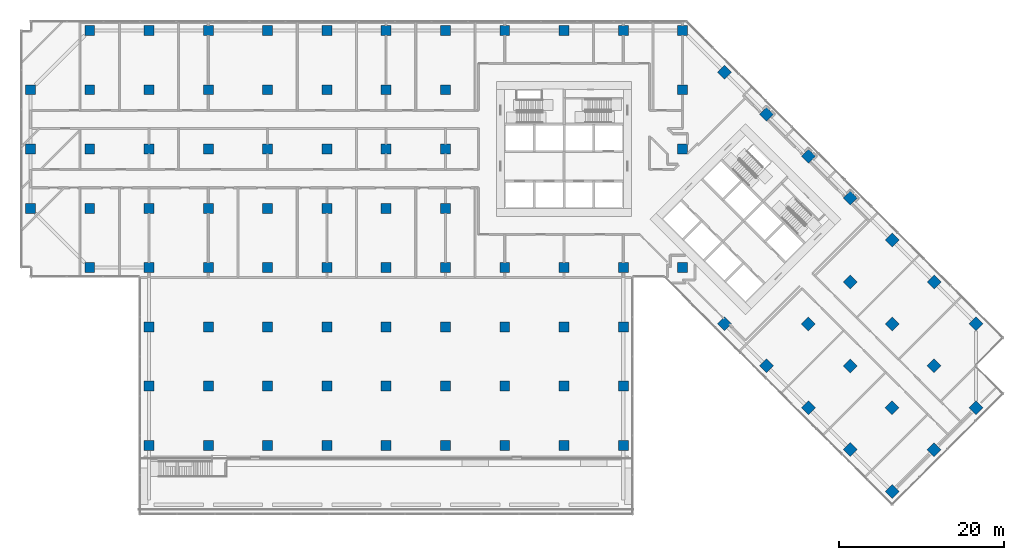
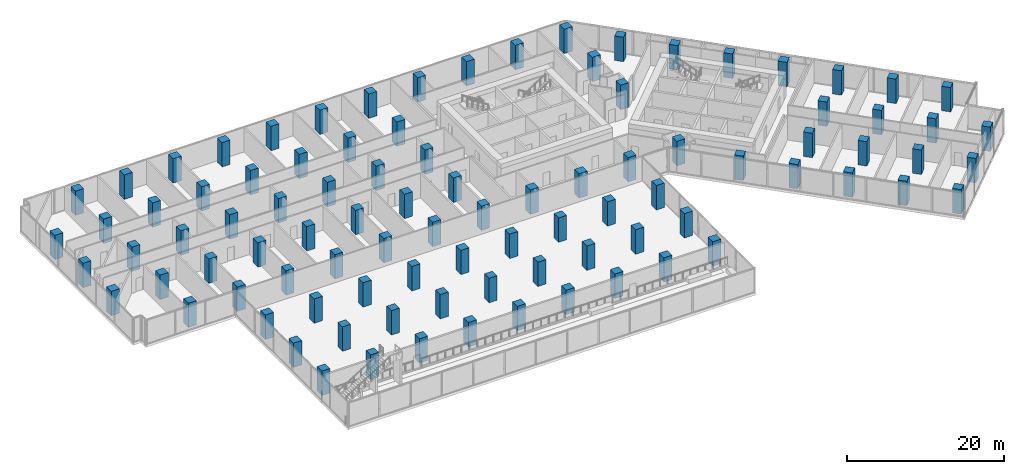
# One storey, part 1 of 27: 95 columns.
"""IFC4 building model written with IfcOpenShell, lengths in metres."""

from ifc_helpers import new_model, si_unit, direction, frame, origin, origin_2d, place, context, subcontext, project, spatial, rectangle, extrude, material, material_profile, profile_set, type_object, element, save


model = new_model("IFC4")

# Units and contexts
model_context = context("Model", 3, precision=1e-05, world=origin(), true_north=direction((0.0, 1.0)))
body_context = subcontext(model_context, "Body", "Model", "MODEL_VIEW")
ifc_project = project(units=[si_unit("LENGTHUNIT", "METRE"), si_unit("AREAUNIT", "SQUARE_METRE"), si_unit("VOLUMEUNIT", "CUBIC_METRE"), si_unit("PLANEANGLEUNIT", "RADIAN"), si_unit("MASSUNIT", "GRAM", prefix="KILO")], contexts=[model_context])

# Site, building, storey
site_placement = place(None, origin())
site = spatial("IfcSite", under=ifc_project, at=site_placement, CompositionType="ELEMENT")
building_placement = place(site_placement, origin())
building = spatial("IfcBuilding", under=site, at=building_placement, Name="Windrow Commons", CompositionType="ELEMENT")
storey_placement = place(building_placement, frame((0.0, 0.0, 6.0)))
storey = spatial("IfcBuildingStorey", under=building, at=storey_placement, Name="L01", CompositionType="ELEMENT", Elevation=6.0)

# Columns
ifc_material = material(Name="Concrete C60/75", Category="concrete")
ifc_material_profile = material_profile(ifc_material, rectangle(XDim=1.2, YDim=1.2, at=origin_2d()))
ifc_profile_set = profile_set([ifc_material_profile], Name="Concrete C60/75")
column_type = type_object("IfcColumnType", Name="RC COLUMN 1200x1200 C60/75", PredefinedType="COLUMN", material=ifc_profile_set)
for number, where, z_axis, x_axis, name in (
    (1, (0.0, 50.4, 0.0), (0.0, 0.0, 1.0), (1.0, 0.0, 0.0), "C-P-01G"),
    (2, (0.0, 57.6, 0.0), (0.0, 0.0, 1.0), (1.0, 0.0, 0.0), "C-P-01H"),
    (3, (0.0, 64.8, 0.0), (0.0, 0.0, 1.0), (1.0, 0.0, 0.0), "C-P-01I"),
    (4, (7.2, 43.2, 0.0), (0.0, 0.0, 1.0), (1.0, 0.0, 0.0), "C-P-02F"),
    (5, (7.2, 50.4, 0.0), (0.0, 0.0, 1.0), (1.0, 0.0, 0.0), "C-P-02G"),
    (6, (7.2, 57.6, 0.0), (0.0, 0.0, 1.0), (1.0, 0.0, 0.0), "C-P-02H"),
    (7, (7.2, 64.8, 0.0), (0.0, 0.0, 1.0), (1.0, 0.0, 0.0), "C-P-02I"),
    (8, (7.2, 72.0, 0.0), (0.0, 0.0, 1.0), (1.0, 0.0, 0.0), "C-P-02J"),
    (9, (14.4, 21.6, 0.0), (0.0, 0.0, 1.0), (1.0, 0.0, 0.0), "C-P-03C"),
    (10, (14.4, 28.8, 0.0), (0.0, 0.0, 1.0), (1.0, 0.0, 0.0), "C-P-03D"),
    (11, (14.4, 36.0, 0.0), (0.0, 0.0, 1.0), (1.0, 0.0, 0.0), "C-P-03E"),
    (12, (14.4, 43.2, 0.0), (0.0, 0.0, 1.0), (1.0, 0.0, 0.0), "C-P-03F"),
    (13, (14.4, 50.4, 0.0), (0.0, 0.0, 1.0), (1.0, 0.0, 0.0), "C-P-03G"),
    (14, (14.4, 57.6, 0.0), (0.0, 0.0, 1.0), (1.0, 0.0, 0.0), "C-P-03H"),
    (15, (14.4, 64.8, 0.0), (0.0, 0.0, 1.0), (1.0, 0.0, 0.0), "C-P-03I"),
    (16, (14.4, 72.0, 0.0), (0.0, 0.0, 1.0), (1.0, 0.0, 0.0), "C-P-03J"),
    (17, (21.6, 21.6, 0.0), (0.0, 0.0, 1.0), (1.0, 0.0, 0.0), "C-P-04C"),
    (18, (21.6, 28.8, 0.0), (0.0, 0.0, 1.0), (1.0, 0.0, 0.0), "C-P-04D"),
    (19, (21.6, 36.0, 0.0), (0.0, 0.0, 1.0), (1.0, 0.0, 0.0), "C-P-04E"),
    (20, (21.6, 43.2, 0.0), (0.0, 0.0, 1.0), (1.0, 0.0, 0.0), "C-P-04F"),
    (21, (21.6, 50.4, 0.0), (0.0, 0.0, 1.0), (1.0, 0.0, 0.0), "C-P-04G"),
    (22, (21.6, 57.6, 0.0), (0.0, 0.0, 1.0), (1.0, 0.0, 0.0), "C-P-04H"),
    (23, (21.6, 64.8, 0.0), (0.0, 0.0, 1.0), (1.0, 0.0, 0.0), "C-P-04I"),
    (24, (21.6, 72.0, 0.0), (0.0, 0.0, 1.0), (1.0, 0.0, 0.0), "C-P-04J"),
    (25, (28.8, 21.6, 0.0), (0.0, 0.0, 1.0), (1.0, 0.0, 0.0), "C-P-05C"),
    (26, (28.8, 28.8, 0.0), (0.0, 0.0, 1.0), (1.0, 0.0, 0.0), "C-P-05D"),
    (27, (28.8, 36.0, 0.0), (0.0, 0.0, 1.0), (1.0, 0.0, 0.0), "C-P-05E"),
    (28, (28.8, 43.2, 0.0), (0.0, 0.0, 1.0), (1.0, 0.0, 0.0), "C-P-05F"),
    (29, (28.8, 50.4, 0.0), (0.0, 0.0, 1.0), (1.0, 0.0, 0.0), "C-P-05G"),
    (30, (28.8, 57.6, 0.0), (0.0, 0.0, 1.0), (1.0, 0.0, 0.0), "C-P-05H"),
    (31, (28.8, 64.8, 0.0), (0.0, 0.0, 1.0), (1.0, 0.0, 0.0), "C-P-05I"),
    (32, (28.8, 72.0, 0.0), (0.0, 0.0, 1.0), (1.0, 0.0, 0.0), "C-P-05J"),
    (33, (36.0, 21.6, 0.0), (0.0, 0.0, 1.0), (1.0, 0.0, 0.0), "C-P-06C"),
    (34, (36.0, 28.8, 0.0), (0.0, 0.0, 1.0), (1.0, 0.0, 0.0), "C-P-06D"),
    (35, (36.0, 36.0, 0.0), (0.0, 0.0, 1.0), (1.0, 0.0, 0.0), "C-P-06E"),
    (36, (36.0, 43.2, 0.0), (0.0, 0.0, 1.0), (1.0, 0.0, 0.0), "C-P-06F"),
    (37, (36.0, 50.4, 0.0), (0.0, 0.0, 1.0), (1.0, 0.0, 0.0), "C-P-06G"),
    (38, (36.0, 57.6, 0.0), (0.0, 0.0, 1.0), (1.0, 0.0, 0.0), "C-P-06H"),
    (39, (36.0, 64.8, 0.0), (0.0, 0.0, 1.0), (1.0, 0.0, 0.0), "C-P-06I"),
    (40, (36.0, 72.0, 0.0), (0.0, 0.0, 1.0), (1.0, 0.0, 0.0), "C-P-06J"),
    (41, (43.2, 21.6, 0.0), (0.0, 0.0, 1.0), (1.0, 0.0, 0.0), "C-P-07C"),
    (42, (43.2, 28.8, 0.0), (0.0, 0.0, 1.0), (1.0, 0.0, 0.0), "C-P-07D"),
    (43, (43.2, 36.0, 0.0), (0.0, 0.0, 1.0), (1.0, 0.0, 0.0), "C-P-07E"),
    (44, (43.2, 43.2, 0.0), (0.0, 0.0, 1.0), (1.0, 0.0, 0.0), "C-P-07F"),
    (45, (43.2, 50.4, 0.0), (0.0, 0.0, 1.0), (1.0, 0.0, 0.0), "C-P-07G"),
    (46, (43.2, 57.6, 0.0), (0.0, 0.0, 1.0), (1.0, 0.0, 0.0), "C-P-07H"),
    (47, (43.2, 64.8, 0.0), (0.0, 0.0, 1.0), (1.0, 0.0, 0.0), "C-P-07I"),
    (48, (43.2, 72.0, 0.0), (0.0, 0.0, 1.0), (1.0, 0.0, 0.0), "C-P-07J"),
    (49, (50.4, 21.6, 0.0), (0.0, 0.0, 1.0), (1.0, 0.0, 0.0), "C-P-08C"),
    (50, (50.4, 28.8, 0.0), (0.0, 0.0, 1.0), (1.0, 0.0, 0.0), "C-P-08D"),
    (51, (50.4, 36.0, 0.0), (0.0, 0.0, 1.0), (1.0, 0.0, 0.0), "C-P-08E"),
    (52, (50.4, 43.2, 0.0), (0.0, 0.0, 1.0), (1.0, 0.0, 0.0), "C-P-08F"),
    (53, (50.4, 50.4, 0.0), (0.0, 0.0, 1.0), (1.0, 0.0, 0.0), "C-P-08G"),
    (54, (50.4, 57.6, 0.0), (0.0, 0.0, 1.0), (1.0, 0.0, 0.0), "C-P-08H"),
    (55, (50.4, 64.8, 0.0), (0.0, 0.0, 1.0), (1.0, 0.0, 0.0), "C-P-08I"),
    (56, (50.4, 72.0, 0.0), (0.0, 0.0, 1.0), (1.0, 0.0, 0.0), "C-P-08J"),
    (57, (57.6, 21.6, 0.0), (0.0, 0.0, 1.0), (1.0, 0.0, 0.0), "C-P-09C"),
    (58, (57.6, 28.8, 0.0), (0.0, 0.0, 1.0), (1.0, 0.0, 0.0), "C-P-09D"),
    (59, (57.6, 36.0, 0.0), (0.0, 0.0, 1.0), (1.0, 0.0, 0.0), "C-P-09E"),
    (60, (57.6, 43.2, 0.0), (0.0, 0.0, 1.0), (1.0, 0.0, 0.0), "C-P-09F"),
    (61, (57.6, 72.0, 0.0), (0.0, 0.0, 1.0), (1.0, 0.0, 0.0), "C-P-09J"),
    (62, (64.8, 21.6, 0.0), (0.0, 0.0, 1.0), (1.0, 0.0, 0.0), "C-P-10C"),
    (63, (64.8, 28.8, 0.0), (0.0, 0.0, 1.0), (1.0, 0.0, 0.0), "C-P-10D"),
    (64, (64.8, 36.0, 0.0), (0.0, 0.0, 1.0), (1.0, 0.0, 0.0), "C-P-10E"),
    (65, (64.8, 43.2, 0.0), (0.0, 0.0, 1.0), (1.0, 0.0, 0.0), "C-P-10F"),
    (66, (64.8, 72.0, 0.0), (0.0, 0.0, 1.0), (1.0, 0.0, 0.0), "C-P-10J"),
    (67, (72.0, 21.6, 0.0), (0.0, 0.0, 1.0), (1.0, 0.0, 0.0), "C-P-11C"),
    (68, (72.0, 28.8, 0.0), (0.0, 0.0, 1.0), (1.0, 0.0, 0.0), "C-P-11D"),
    (69, (72.0, 36.0, 0.0), (0.0, 0.0, 1.0), (1.0, 0.0, 0.0), "C-P-11E"),
    (70, (72.0, 43.2, 0.0), (0.0, 0.0, 1.0), (1.0, 0.0, 0.0), "C-P-11F"),
    (71, (72.0, 72.0, 0.0), (0.0, 0.0, 1.0), (1.0, 0.0, 0.0), "C-P-11J"),
    (72, (79.2, 43.2, 0.0), (0.0, 0.0, 1.0), (1.0, 0.0, 0.0), "C-P-12F"),
    (73, (79.2, 57.6, 0.0), (0.0, 0.0, 1.0), (1.0, 0.0, 0.0), "C-P-12H"),
    (74, (79.2, 64.8, 0.0), (0.0, 0.0, 1.0), (1.0, 0.0, 0.0), "C-P-12I"),
    (75, (79.2, 72.0, 0.0), (0.0, 0.0, 1.0), (1.0, 0.0, 0.0), "C-P-12J"),
    (76, (84.2912, 66.9088, 0.0), (0.0, 0.0, 1.0), (0.7071067812, -0.7071067812, 0.0), "C-P-P2Q"),
    (77, (89.3823, 61.8177, 0.0), (0.0, 0.0, 1.0), (0.7071067812, -0.7071067812, 0.0), "C-P-P3Q"),
    (78, (94.4735, 56.7265, 0.0), (0.0, 0.0, 1.0), (0.7071067812, -0.7071067812, 0.0), "C-P-P4Q"),
    (79, (99.5647, 51.6353, 0.0), (0.0, 0.0, 1.0), (0.7071067812, -0.7071067812, 0.0), "C-P-P5Q"),
    (80, (84.2912, 36.3618, 0.0), (0.0, 0.0, 1.0), (0.7071067812, -0.7071067812, 0.0), "C-P-P5T"),
    (81, (104.6558, 46.5442, 0.0), (0.0, 0.0, 1.0), (0.7071067812, -0.7071067812, 0.0), "C-P-P6Q"),
    (82, (99.5647, 41.453, 0.0), (0.0, 0.0, 1.0), (0.7071067812, -0.7071067812, 0.0), "C-P-P6R"),
    (83, (94.4735, 36.3618, 0.0), (0.0, 0.0, 1.0), (0.7071067812, -0.7071067812, 0.0), "C-P-P6S"),
    (84, (89.3823, 31.2706, 0.0), (0.0, 0.0, 1.0), (0.7071067812, -0.7071067812, 0.0), "C-P-P6T"),
    (85, (109.747, 41.453, 0.0), (0.0, 0.0, 1.0), (0.7071067812, -0.7071067812, 0.0), "C-P-P7Q"),
    (86, (104.6558, 36.3618, 0.0), (0.0, 0.0, 1.0), (0.7071067812, -0.7071067812, 0.0), "C-P-P7R"),
    (87, (99.5647, 31.2706, 0.0), (0.0, 0.0, 1.0), (0.7071067812, -0.7071067812, 0.0), "C-P-P7S"),
    (88, (94.4735, 26.1795, 0.0), (0.0, 0.0, 1.0), (0.7071067812, -0.7071067812, 0.0), "C-P-P7T"),
    (89, (114.8382, 36.3618, 0.0), (0.0, 0.0, 1.0), (0.7071067812, -0.7071067812, 0.0), "C-P-P8Q"),
    (90, (109.747, 31.2706, 0.0), (0.0, 0.0, 1.0), (0.7071067812, -0.7071067812, 0.0), "C-P-P8R"),
    (91, (104.6558, 26.1795, 0.0), (0.0, 0.0, 1.0), (0.7071067812, -0.7071067812, 0.0), "C-P-P8S"),
    (92, (99.5647, 21.0883, 0.0), (0.0, 0.0, 1.0), (0.7071067812, -0.7071067812, 0.0), "C-P-P8T"),
    (93, (114.8382, 26.1795, 0.0), (0.0, 0.0, 1.0), (0.7071067812, -0.7071067812, 0.0), "C-P-P9R"),
    (94, (109.747, 21.0883, 0.0), (0.0, 0.0, 1.0), (0.7071067812, -0.7071067812, 0.0), "C-P-P9S"),
    (95, (104.6558, 15.9971, 0.0), (0.0, 0.0, 1.0), (0.7071067812, -0.7071067812, 0.0), "C-P-P9T"),
):
    element("IfcColumn", number, at=place(storey_placement, frame(where, z_axis=z_axis, x_axis=x_axis)), inside=storey, type_object=column_type, Name=name, PredefinedType="COLUMN", context=body_context, shape_type="SweptSolid", body=[
        extrude(rectangle(XDim=1.2, YDim=1.2, at=origin_2d()), origin(), (0.0, 0.0, 1.0), 3.8),
    ])

save(model, "model.ifc")
